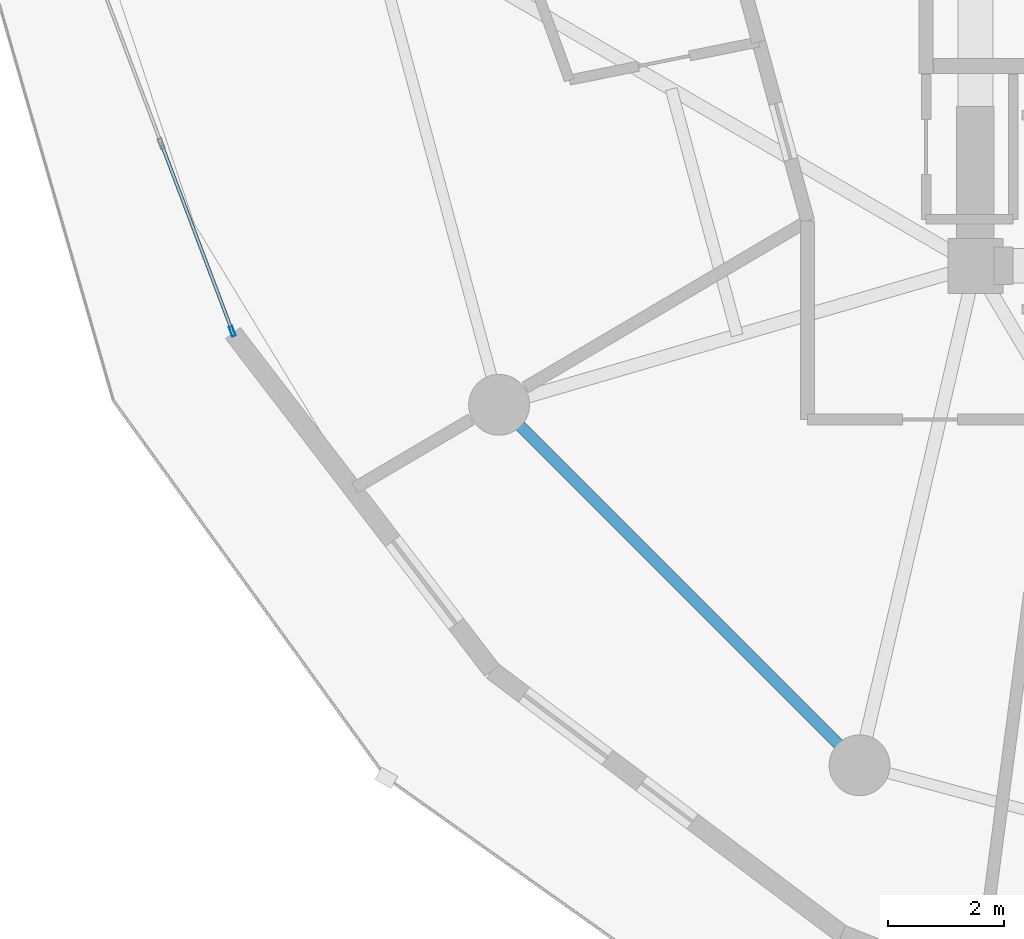
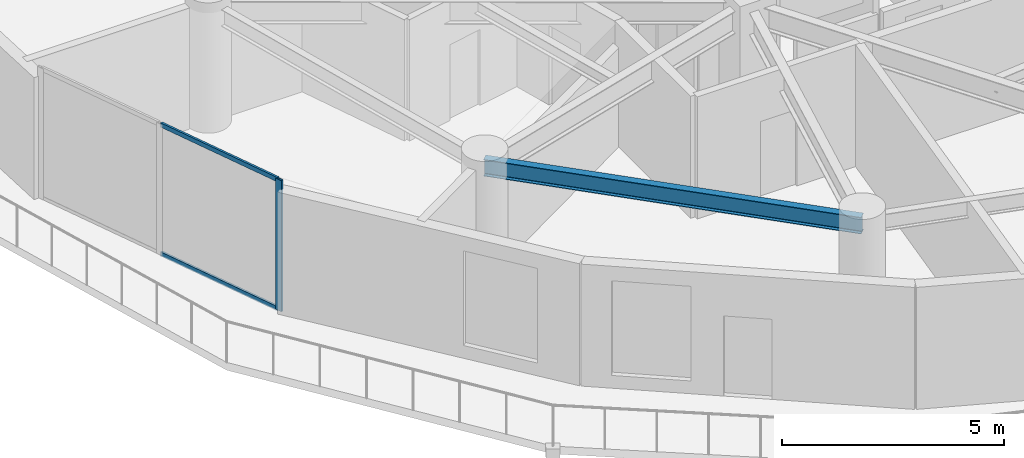
# One storey, part 2 of 25: 3 members, 1 beam, 1 element without a shape of its own.
"""IFC4 building model written with IfcOpenShell, lengths in metres."""

from ifc_helpers import new_model, si_unit, direction, frame, origin, origin_2d, place, context, subcontext, project, spatial, hollow_rectangle, i_section, extrude, source, transform, mapped, material, layer, layer_set, material_profile, profile_set, type_object, element, aggregate, save


model = new_model("IFC4")

# Units and contexts
model_context = context("Model", 3, precision=1e-05, world=origin(), true_north=direction((0.0, 1.0)))
body_context = subcontext(model_context, "Body", "Model", "MODEL_VIEW")
ifc_project = project(units=[si_unit("LENGTHUNIT", "METRE"), si_unit("AREAUNIT", "SQUARE_METRE"), si_unit("VOLUMEUNIT", "CUBIC_METRE"), si_unit("PLANEANGLEUNIT", "RADIAN"), si_unit("MASSUNIT", "GRAM", prefix="KILO")], contexts=[model_context])

# Site, building, storey
site_placement = place(None, origin())
site = spatial("IfcSite", under=ifc_project, at=site_placement, CompositionType="ELEMENT")
building_placement = place(site_placement, origin())
building = spatial("IfcBuilding", under=site, at=building_placement, Name="Solvirekh Grand Hotel", CompositionType="ELEMENT")
storey_placement = place(building_placement, frame((0.0, 0.0, 106.199951171875)))
storey = spatial("IfcBuildingStorey", under=building, at=storey_placement, Name="L26", CompositionType="ELEMENT", Elevation=106.199951171875)

# Beam
ifc_material_1 = material(Name="Steel S355", Category="steel")
ifc_material_profile_1 = material_profile(ifc_material_1, i_section(OverallWidth=0.18994140625, OverallDepth=0.45703125, WebThickness=0.009033203125, FlangeThickness=0.013916015625, FilletRadius=0.012939453125, at=origin_2d()), Name="W460X74")
ifc_profile_set_1 = profile_set([ifc_material_profile_1], Name="Steel S355")
beam_type = type_object("IfcBeamType", Name="Spandrel_Ring_W460", PredefinedType="SPANDREL", material=ifc_profile_set_1)
beam_placement = place(storey_placement, frame((-14.721923828125, -8.5, 3.1220703125), z_axis=(0.707106781187, -0.707106781187, 0.0), x_axis=(0.707106781187, 0.707106781187, 0.0)))
element("IfcBeam", 1, at=beam_placement, inside=storey, type_object=beam_type, Name="L26 perimeter spandrel beam 8", PredefinedType="SPANDREL", context=body_context, shape_type="SweptSolid", body=[
    extrude(i_section(OverallWidth=0.18994140625, OverallDepth=0.45703125, WebThickness=0.009033203125, FlangeThickness=0.013916015625, FilletRadius=0.012939453125, at=origin_2d()), origin(), (0.0, 0.0, 1.0), 8.799072265625),
])

# Curtain wall, members
ifc_material_2 = material(Name="Anodized Bronze Aluminium 6063-T6", Category="aluminium")
ifc_layer = layer(ifc_material_2, 0.175048828125)
ifc_layer_set = layer_set([ifc_layer], Name="Anodized Bronze Aluminium 6063-T6")
curtain_wall_type = type_object("IfcCurtainWallType", Name="CW_Sys3_MidZoneFlushBronzeCW", PredefinedType="NOTDEFINED", material=ifc_layer_set)
curtain_wall_placement = place(storey_placement, origin())
curtain_wall = element("IfcCurtainWall", 2, at=curtain_wall_placement, inside=storey, type_object=curtain_wall_type, Name="L26 unitised bronze-glass curtain wall CW-L26-C13", PredefinedType="NOTDEFINED")
ifc_material_profile_2 = material_profile(ifc_material_2, hollow_rectangle(XDim=0.054931640625, YDim=0.1201171875, WallThickness=0.00390625, at=origin_2d()), Name="ALU RHS 120X55X4")
ifc_profile_set_2 = profile_set([ifc_material_profile_2], Name="Anodized Bronze Aluminium 6063-T6")
member_type_1 = type_object("IfcMemberType", Name="CWTransom_Sys3", PredefinedType="USERDEFINED", material=ifc_profile_set_2)
shared_shape_1 = source(origin(), body_context, "Body", "SweptSolid", [
    extrude(hollow_rectangle(XDim=0.054931640625, YDim=0.1201171875, WallThickness=0.00390625, at=origin_2d()), origin(), (0.0, 0.0, 1.0), 3.397216796875),
])
member_1_placement = place(storey_placement, frame((-20.5390625, -4.0224609375, 0.027587890625), z_axis=(0.353579450188, -0.935404496677, 0.0), x_axis=(0.935404496677, 0.353579450188, 0.0)))
member_1 = element("IfcMember", 3, at=member_1_placement, type_object=member_type_1, Name="U03 transom 2.1", ObjectType="TRANSOM", PredefinedType="USERDEFINED", context=body_context, shape_type="MappedRepresentation", body=[
    mapped(shared_shape_1, transform((0.0, 0.0, 0.0), x_axis=(1.0, 0.0, 0.0), y_axis=(0.0, 1.0, 0.0), z_axis=(0.0, 0.0, 1.0), scale=1.0)),
])
member_2_placement = place(storey_placement, frame((-20.5390625, -4.0224609375, 3.572509765625), z_axis=(0.353579450188, -0.935404496677, 0.0), x_axis=(0.935404496677, 0.353579450188, 0.0)))
member_2 = element("IfcMember", 4, at=member_2_placement, type_object=member_type_1, Name="U03 transom 2.2", ObjectType="TRANSOM", PredefinedType="USERDEFINED", context=body_context, shape_type="MappedRepresentation", body=[
    mapped(shared_shape_1, transform((0.0, 0.0, 0.0), x_axis=(1.0, 0.0, 0.0), y_axis=(0.0, 1.0, 0.0), z_axis=(0.0, 0.0, 1.0), scale=1.0)),
])
ifc_material_profile_3 = material_profile(ifc_material_2, hollow_rectangle(XDim=0.06494140625, YDim=0.175048828125, WallThickness=0.0048828125, at=origin_2d()), Name="ALU RHS 175X65X5")
ifc_profile_set_3 = profile_set([ifc_material_profile_3], Name="Anodized Bronze Aluminium 6063-T6")
member_type_2 = type_object("IfcMemberType", Name="CWMullion_Sys3", PredefinedType="MULLION", material=ifc_profile_set_3)
shared_shape_2 = source(origin(), body_context, "Body", "SweptSolid", [
    extrude(hollow_rectangle(XDim=0.06494140625, YDim=0.175048828125, WallThickness=0.0048828125, at=origin_2d()), origin(), (0.0, 0.0, 1.0), 3.60009765625),
])
member_3_placement = place(storey_placement, frame((-19.326416015625, -7.230712890625, 0.0), z_axis=(0.0, 0.0, 1.0), x_axis=(0.935420579411, 0.353536899934, 0.0)))
member_3 = element("IfcMember", 5, at=member_3_placement, type_object=member_type_2, Name="U03 mullion 3", PredefinedType="MULLION", context=body_context, shape_type="MappedRepresentation", body=[
    mapped(shared_shape_2, transform((0.0, 0.0, 0.0), x_axis=(1.0, 0.0, 0.0), y_axis=(0.0, 1.0, 0.0), z_axis=(0.0, 0.0, 1.0), scale=1.0)),
])
aggregate(curtain_wall, [member_3, member_1, member_2])

save(model, "model.ifc")
